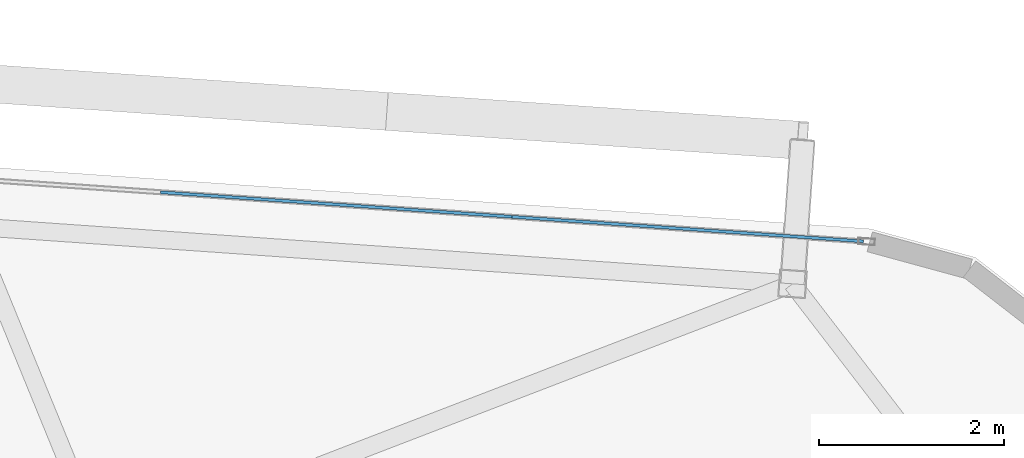
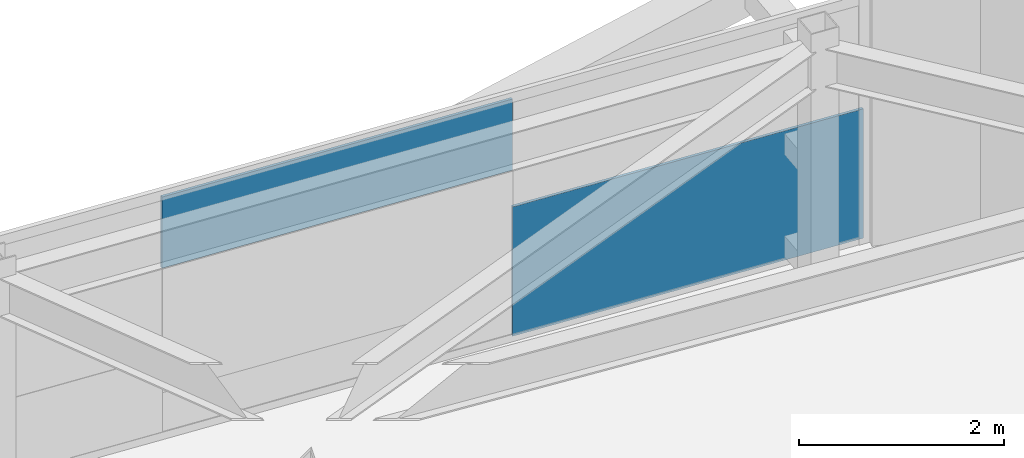
# One storey, part 26 of 39: 2 plates, 1 element without a shape of its own.
"""IFC4 building model written with IfcOpenShell, lengths in metres."""

import ifcopenshell
import ifcopenshell.guid

model = None  # the IFC model being written
_history = None  # IfcOwnerHistory: only IFC2X3 demands one
_inside = {}  # id of a spatial element -> (the spatial element, [elements in it])
_under = {}  # id of a project, library or spatial element -> (it, [spatial elements below it])
_declared = {}  # id of a project -> (the project, [libraries it declares])
_typed = {}  # id of a type object -> (the type object, [elements of that type])
_made_of = {}  # id of a material, layer set ... -> (it, [elements and type objects made of it])


def new_model(schema):
    """Start an empty IFC model of exactly this schema.

    Asked for "IFC4X3", IfcOpenShell would pick the latest addendum, in which some entities
    have other attributes; the version numbers below select the first issue.
    IFC2X3 requires an IfcOwnerHistory on every rooted entity: one is made here for all.
    """
    global model, _history
    if schema == "IFC4X3":
        model = ifcopenshell.file(schema_version=(4, 3, 0, 0))
    else:
        model = ifcopenshell.file(schema=schema)
    _inside.clear()
    _under.clear()
    _declared.clear()
    _typed.clear()
    _made_of.clear()
    _history = None
    if model.schema == "IFC2X3":
        org = make("IfcOrganization", Name="unknown")
        user = make(
            "IfcPersonAndOrganization",
            ThePerson=make("IfcPerson", FamilyName="unknown"),
            TheOrganization=org,
        )
        app = make(
            "IfcApplication",
            ApplicationDeveloper=org,
            Version="unknown",
            ApplicationFullName="unknown",
            ApplicationIdentifier="unknown",
        )
        _history = make(
            "IfcOwnerHistory",
            OwningUser=user,
            OwningApplication=app,
            ChangeAction="ADDED",
            CreationDate=0,
        )
    return model


def make(cls, **values):
    """One entity of the class cls with the attributes given. An attribute that is None is left unset."""
    return model.create_entity(
        cls, **{name: value for name, value in values.items() if value is not None}
    )


def rooted(cls, **values):
    """An entity with a GlobalId (a new one), such as an element, a storey or a relation."""
    return make(cls, GlobalId=ifcopenshell.guid.new(), OwnerHistory=_history, **values)


def si_unit(unit_type, name, prefix=None):
    """IfcSIUnit, for example si_unit("LENGTHUNIT", "METRE", prefix="MILLI")."""
    return make("IfcSIUnit", UnitType=unit_type, Prefix=prefix, Name=name)


def assignment(units):
    """IfcUnitAssignment: the units of a project."""
    return None if units is None else make("IfcUnitAssignment", Units=units)


def point(xyz):
    """IfcCartesianPoint."""
    return None if xyz is None else make("IfcCartesianPoint", Coordinates=xyz)


def direction(xyz):
    """IfcDirection."""
    return None if xyz is None else make("IfcDirection", DirectionRatios=xyz)


def frame(location, z_axis=None, x_axis=None):
    """IfcAxis2Placement3D, a coordinate frame: its origin and axes. An axis left out is left unset."""
    return make(
        "IfcAxis2Placement3D",
        Location=point(location),
        Axis=direction(z_axis),
        RefDirection=direction(x_axis),
    )


def frame_2d(location, x_axis=None):
    """IfcAxis2Placement2D, a coordinate frame in the plane: its origin and x axis."""
    return make(
        "IfcAxis2Placement2D", Location=point(location), RefDirection=direction(x_axis)
    )


def origin():
    """The frame at (0, 0, 0) with its axes left unset."""
    return frame((0.0, 0.0, 0.0))


def origin_2d():
    """The frame at (0, 0) in the plane with its x axis left unset."""
    return frame_2d((0.0, 0.0))


def place(relative_to, where):
    """IfcLocalPlacement: puts the frame where relative to a parent placement (None: the world)."""
    return make(
        "IfcLocalPlacement", PlacementRelTo=relative_to, RelativePlacement=where
    )


def context(
    kind, dimensions, precision=None, world=None, true_north=None, identifier=None
):
    """IfcGeometricRepresentationContext, for example the 3D "Model" context."""
    return make(
        "IfcGeometricRepresentationContext",
        ContextIdentifier=identifier,
        ContextType=kind,
        CoordinateSpaceDimension=dimensions,
        Precision=precision,
        WorldCoordinateSystem=world,
        TrueNorth=true_north,
    )


def subcontext(parent, identifier, kind, view, scale=None):
    """IfcGeometricRepresentationSubContext, for example "Body" below "Model"."""
    return make(
        "IfcGeometricRepresentationSubContext",
        ContextIdentifier=identifier,
        ContextType=kind,
        ParentContext=parent,
        TargetScale=scale,
        TargetView=view,
    )


def project(units=None, contexts=None):
    """IfcProject with its units and contexts."""
    return rooted(
        "IfcProject",
        Name="project",
        RepresentationContexts=contexts,
        UnitsInContext=assignment(units),
    )


def spatial(cls, under=None, at=None, **own):
    """A site, building, storey or space (cls), placed at a placement, below another one or the project."""
    s = rooted(cls, ObjectPlacement=at, **own)
    if under is not None:
        _under.setdefault(under.id(), (under, []))[1].append(s)
    return s


def profile(cls, at=None, kind="AREA", **sizes):
    """A parametric profile (cls). Its sizes go by their IFC names, for example OverallWidth=200.0."""
    return make(cls, ProfileType=kind, Position=at, **sizes)


def rectangle(**sizes):
    """IfcRectangleProfileDef."""
    return profile("IfcRectangleProfileDef", **sizes)


def extrude(swept, where, along, depth):
    """IfcExtrudedAreaSolid: the profile swept, set in the frame where, extruded along a direction by depth."""
    return make(
        "IfcExtrudedAreaSolid",
        SweptArea=swept,
        Position=where,
        ExtrudedDirection=direction(along),
        Depth=depth,
    )


def shape(context_of_items, identifier, shape_type, items):
    """IfcShapeRepresentation: the items that make up one representation, for example the "Body"."""
    return make(
        "IfcShapeRepresentation",
        ContextOfItems=context_of_items,
        RepresentationIdentifier=identifier,
        RepresentationType=shape_type,
        Items=items,
    )


def source(mapping_origin, context_of_items, identifier, shape_type, items):
    """IfcRepresentationMap: a shape defined once, which mapped items show again and again."""
    return make(
        "IfcRepresentationMap",
        MappingOrigin=mapping_origin,
        MappedRepresentation=shape(context_of_items, identifier, shape_type, items),
    )


def transform(
    local_origin,
    x_axis=None,
    y_axis=None,
    z_axis=None,
    scale=None,
    scale2=None,
    scale3=None,
    uniform=True,
):
    """IfcCartesianTransformationOperator3D, or its non-uniform kind. x_axis, y_axis, z_axis: its Axis1, 2, 3."""
    if uniform:
        return make(
            "IfcCartesianTransformationOperator3D",
            Axis1=direction(x_axis),
            Axis2=direction(y_axis),
            LocalOrigin=point(local_origin),
            Scale=scale,
            Axis3=direction(z_axis),
        )
    return make(
        "IfcCartesianTransformationOperator3DnonUniform",
        Axis1=direction(x_axis),
        Axis2=direction(y_axis),
        LocalOrigin=point(local_origin),
        Scale=scale,
        Axis3=direction(z_axis),
        Scale2=scale2,
        Scale3=scale3,
    )


def mapped(mapping_source, mapping_target):
    """IfcMappedItem: shows the shape of a source again, moved by a transform."""
    return make(
        "IfcMappedItem", MappingSource=mapping_source, MappingTarget=mapping_target
    )


def material(Name=None, Category=None):
    """IfcMaterial."""
    return make("IfcMaterial", Name=Name, Category=Category)


def layer(
    of_material, thickness, ventilated=None, Name=None, Category=None, Priority=None
):
    """IfcMaterialLayer: one layer of a wall or slab, of a material (None: an air gap)."""
    return make(
        "IfcMaterialLayer",
        Material=of_material,
        LayerThickness=thickness,
        IsVentilated=ventilated,
        Name=Name,
        Category=Category,
        Priority=Priority,
    )


def layer_set(layers, Name=None):
    """IfcMaterialLayerSet."""
    return make("IfcMaterialLayerSet", MaterialLayers=layers, LayerSetName=Name)


def made_of(thing, what):
    """Note that an element or type object is made of a material, layer set ...; save() writes the relation."""
    if what is not None:
        _made_of.setdefault(what.id(), (what, []))[1].append(thing)
    return thing


def type_object(cls, material=None, **own):
    """A type object (cls), such as IfcWallType, which elements share."""
    return made_of(rooted(cls, **own), material)


def element(
    cls,
    number,
    at=None,
    inside=None,
    cuts=None,
    type_object=None,
    material=None,
    context=None,
    identifier="Body",
    shape_type=None,
    held_by="IfcProductDefinitionShape",
    body=None,
    shapes=None,
    **own,
):
    """One element of the class cls, such as IfcWall. Its Tag is "e" and its number.

    at: its placement. inside: the storey or other place that contains it. cuts: it is an
    opening in that element (IfcRelVoidsElement). A single representation is given by context,
    identifier, shape_type and body (its items); several are given by shapes. held_by: the class
    of the entity that holds the representations. save() writes the other relations.
    """
    e = rooted(cls, Tag="e%d" % number, ObjectPlacement=at, **own)
    if body is not None:
        shapes = [shape(context, identifier, shape_type, body)]
    if shapes is not None:
        e.Representation = make(held_by, Representations=shapes)
    if inside is not None:
        _inside.setdefault(inside.id(), (inside, []))[1].append(e)
    if cuts is not None:
        rooted(
            "IfcRelVoidsElement", RelatingBuildingElement=cuts, RelatedOpeningElement=e
        )
    if type_object is not None:
        _typed.setdefault(type_object.id(), (type_object, []))[1].append(e)
    return made_of(e, material)


def aggregate(whole, parts):
    """IfcRelAggregates: a whole, such as a stair, and the parts it consists of."""
    return rooted("IfcRelAggregates", RelatingObject=whole, RelatedObjects=parts)


def save(model, path):
    """Write the relations noted so far, then the file.

    IfcRelAggregates (storeys below a building ...), IfcRelContainedInSpatialStructure (elements
    in a storey), IfcRelDefinesByType, IfcRelAssociatesMaterial and IfcRelDeclares: one each for
    every whole, place, type object, material and project.
    """
    for whole, parts in _under.values():
        aggregate(whole, parts)
    for where, things in _inside.values():
        rooted(
            "IfcRelContainedInSpatialStructure",
            RelatedElements=things,
            RelatingStructure=where,
        )
    for kind, things in _typed.values():
        rooted("IfcRelDefinesByType", RelatedObjects=things, RelatingType=kind)
    for what, things in _made_of.values():
        rooted("IfcRelAssociatesMaterial", RelatedObjects=things, RelatingMaterial=what)
    for by, libraries in _declared.values():
        rooted("IfcRelDeclares", RelatingContext=by, RelatedDefinitions=libraries)
    model.write(path)


model = new_model("IFC4")

# Units and contexts
model_context = context("Model", 3, precision=1e-05, world=origin(), true_north=direction((0.0, 1.0)))
body_context = subcontext(model_context, "Body", "Model", "MODEL_VIEW")
ifc_project = project(units=[si_unit("LENGTHUNIT", "METRE"), si_unit("AREAUNIT", "SQUARE_METRE"), si_unit("VOLUMEUNIT", "CUBIC_METRE"), si_unit("PLANEANGLEUNIT", "RADIAN"), si_unit("MASSUNIT", "GRAM", prefix="KILO")], contexts=[model_context])

# Site, building, storey
site_placement = place(None, origin())
site = spatial("IfcSite", under=ifc_project, at=site_placement, CompositionType="ELEMENT")
building_placement = place(site_placement, origin())
building = spatial("IfcBuilding", under=site, at=building_placement, Name="Taldren Reach Tower", CompositionType="ELEMENT")
storey_placement = place(building_placement, frame((0.0, 0.0, 120.39990234375)))
storey = spatial("IfcBuildingStorey", under=building, at=storey_placement, Name="L36", CompositionType="ELEMENT", Elevation=120.39990234375)

# Curtain wall, plates
ifc_material_1 = material(Name="Aluminium and Low-E Glass Unitised System", Category="aluminium")
ifc_layer_1 = layer(ifc_material_1, 0.159912109375)
ifc_layer_set_1 = layer_set([ifc_layer_1], Name="Aluminium and Low-E Glass Unitised System")
curtain_wall_type = type_object("IfcCurtainWallType", Name="CW-SYS-4", PredefinedType="NOTDEFINED", material=ifc_layer_set_1)
curtain_wall_placement = place(storey_placement, origin())
curtain_wall = element("IfcCurtainWall", 1, at=curtain_wall_placement, inside=storey, type_object=curtain_wall_type, Name="Unitised curtain wall CW-L36-N", PredefinedType="NOTDEFINED")
ifc_material_2 = material(Name="Solar-Control Double Glazed IGU", Category="glass")
ifc_layer_2 = layer(ifc_material_2, 0.031982421875)
ifc_layer_set_2 = layer_set([ifc_layer_2], Name="Solar-Control Double Glazed IGU")
plate_type = type_object("IfcPlateType", Name="CW-PNL-IGU32", PredefinedType="CURTAIN_PANEL", material=ifc_layer_set_2)
shared_shape_1 = source(origin(), body_context, "Body", "SweptSolid", [
    extrude(rectangle(XDim=3.79833984375, YDim=0.031982421875, at=origin_2d()), origin(), (0.0, 0.0, 1.0), 0.84716796875),
])
plate_1_placement = place(storey_placement, frame((53.5166015625, 35.716796875, 2.028076171875), z_axis=(0.0, 0.0, 1.0), x_axis=(-0.99756404731, 0.06975651593, 0.0)))
plate_1 = element("IfcPlate", 2, at=plate_1_placement, type_object=plate_type, Name="CW-4 panel 1.1 part 3", PredefinedType="CURTAIN_PANEL", context=body_context, shape_type="MappedRepresentation", body=[
    mapped(shared_shape_1, transform((0.0, 0.0, 0.0), scale=1.0)),
])
shared_shape_2 = source(origin(), body_context, "Body", "SweptSolid", [
    extrude(rectangle(XDim=3.79833984375, YDim=0.031982421875, at=origin_2d()), origin(), (0.0, 0.0, 1.0), 1.537841796875),
])
plate_2_placement = place(storey_placement, frame((57.3056640625, 35.451904296875, 0.05517578125), z_axis=(0.0, 0.0, 1.0), x_axis=(-0.99756404731, 0.06975651593, 0.0)))
plate_2 = element("IfcPlate", 3, at=plate_2_placement, type_object=plate_type, Name="CW-4 panel 1.1 part 1", PredefinedType="CURTAIN_PANEL", context=body_context, shape_type="MappedRepresentation", body=[
    mapped(shared_shape_2, transform((0.0, 0.0, 0.0), scale=1.0)),
])
aggregate(curtain_wall, [plate_2, plate_1])

save(model, "model.ifc")
